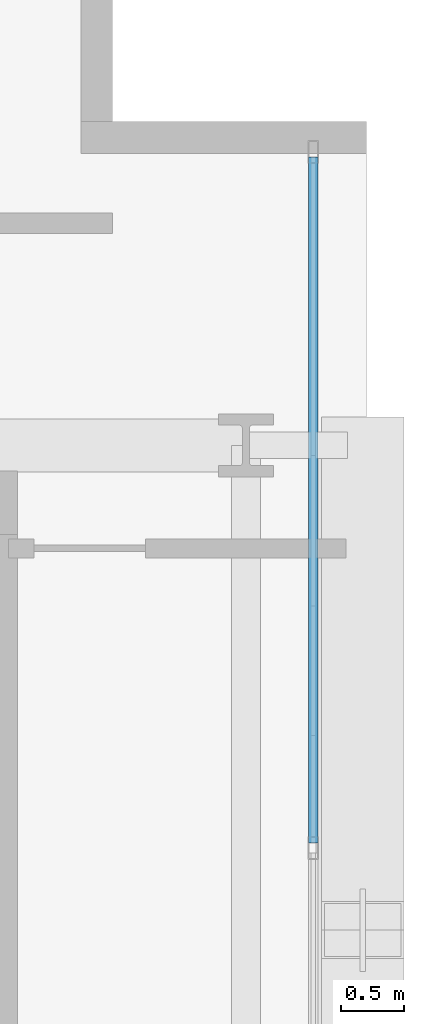
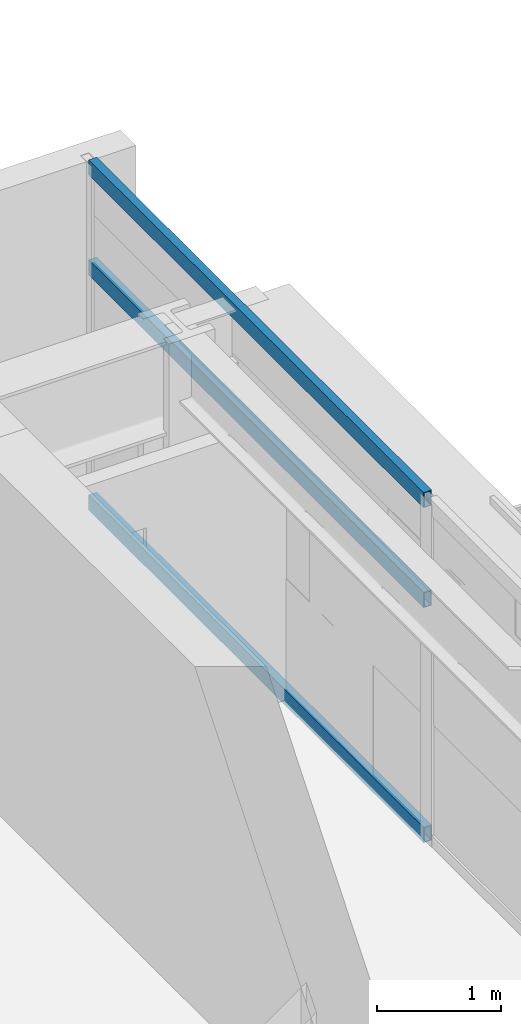
# One storey, part 15 of 31: 3 members, 1 element without a shape of its own.
"""IFC4 building model written with IfcOpenShell, lengths in metres."""

from ifc_helpers import new_model, si_unit, direction, frame, origin, origin_2d, place, context, subcontext, project, spatial, hollow_rectangle, extrude, source, transform, mapped, material, layer, layer_set, material_profile, profile_set, type_object, element, aggregate, save


model = new_model("IFC4")

# Units and contexts
model_context = context("Model", 3, precision=1e-05, world=origin(), true_north=direction((0.0, 1.0)))
body_context = subcontext(model_context, "Body", "Model", "MODEL_VIEW")
ifc_project = project(units=[si_unit("LENGTHUNIT", "METRE"), si_unit("AREAUNIT", "SQUARE_METRE"), si_unit("VOLUMEUNIT", "CUBIC_METRE"), si_unit("PLANEANGLEUNIT", "RADIAN"), si_unit("MASSUNIT", "GRAM", prefix="KILO")], contexts=[model_context])

# Site, building, storey
site_placement = place(None, origin())
site = spatial("IfcSite", under=ifc_project, at=site_placement, CompositionType="ELEMENT")
building_placement = place(site_placement, origin())
building = spatial("IfcBuilding", under=site, at=building_placement, Name="Ocotamira Hotel", CompositionType="ELEMENT")
storey_placement = place(building_placement, frame((0.0, 0.0, 188.39990234375)))
storey = spatial("IfcBuildingStorey", under=building, at=storey_placement, Name="L47", CompositionType="ELEMENT", Elevation=188.39990234375)

# Curtain wall, members
ifc_material_1 = material(Name="Anodised pale-metal aluminium and solar glass", Category="aluminium")
ifc_layer = layer(ifc_material_1, 0.199951171875)
ifc_layer_set = layer_set([ifc_layer], Name="Anodised pale-metal aluminium and solar glass")
curtain_wall_type = type_object("IfcCurtainWallType", Name="CW-SYS4-Z3", PredefinedType="NOTDEFINED", material=ifc_layer_set)
curtain_wall_placement = place(storey_placement, origin())
curtain_wall = element("IfcCurtainWall", 1, at=curtain_wall_placement, inside=storey, type_object=curtain_wall_type, Name="L47 Curtain Wall CW-4 CW-L47-E", PredefinedType="NOTDEFINED")
ifc_material_2 = material(Name="Anodised pale-metal aluminium 6063-T6", Category="aluminium")
ifc_material_profile = material_profile(ifc_material_2, hollow_rectangle(XDim=0.074951171875, YDim=0.14990234375, WallThickness=0.006103515625, at=origin_2d()), Name="HSS150X75X6")
ifc_profile_set = profile_set([ifc_material_profile], Name="Anodised pale-metal aluminium 6063-T6")
member_type = type_object("IfcMemberType", Name="CWT-150X75", PredefinedType="USERDEFINED", material=ifc_profile_set)
shared_shape = source(origin(), body_context, "Body", "SweptSolid", [
    extrude(hollow_rectangle(XDim=0.074951171875, YDim=0.14990234375, WallThickness=0.006103515625, at=origin_2d()), origin(), (0.0, 0.0, 1.0), 5.39990234375),
])
member_1_placement = place(storey_placement, frame((55.580078125, 34.320068359375, 0.03759765625), z_axis=(0.0, 1.0, 0.0), x_axis=(-1.0, 0.0, 0.0)))
member_1 = element("IfcMember", 2, at=member_1_placement, type_object=member_type, Name="CW-4 transom 5.1", ObjectType="TRANSOM", PredefinedType="USERDEFINED", context=body_context, shape_type="MappedRepresentation", body=[
    mapped(shared_shape, transform((0.0, 0.0, 0.0), scale=1.0)),
])
member_2_placement = place(storey_placement, frame((55.580078125, 34.320068359375, 2.35009765625), z_axis=(0.0, 1.0, 0.0), x_axis=(-1.0, 0.0, 0.0)))
member_2 = element("IfcMember", 3, at=member_2_placement, type_object=member_type, Name="CW-4 transom 5.2", ObjectType="TRANSOM", PredefinedType="USERDEFINED", context=body_context, shape_type="MappedRepresentation", body=[
    mapped(shared_shape, transform((0.0, 0.0, 0.0), scale=1.0)),
])
member_3_placement = place(storey_placement, frame((55.580078125, 34.320068359375, 3.33251953125), z_axis=(0.0, 1.0, 0.0), x_axis=(-1.0, 0.0, 0.0)))
member_3 = element("IfcMember", 4, at=member_3_placement, type_object=member_type, Name="CW-4 transom 5.3", ObjectType="TRANSOM", PredefinedType="USERDEFINED", context=body_context, shape_type="MappedRepresentation", body=[
    mapped(shared_shape, transform((0.0, 0.0, 0.0), scale=1.0)),
])
aggregate(curtain_wall, [member_1, member_2, member_3])

save(model, "model.ifc")
